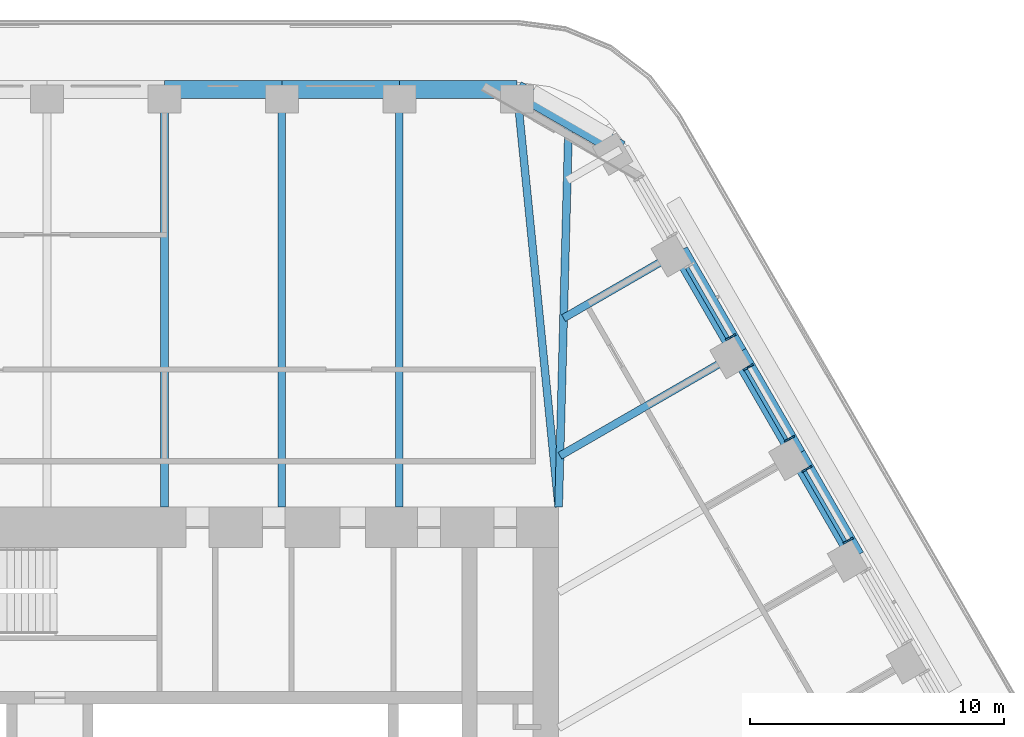
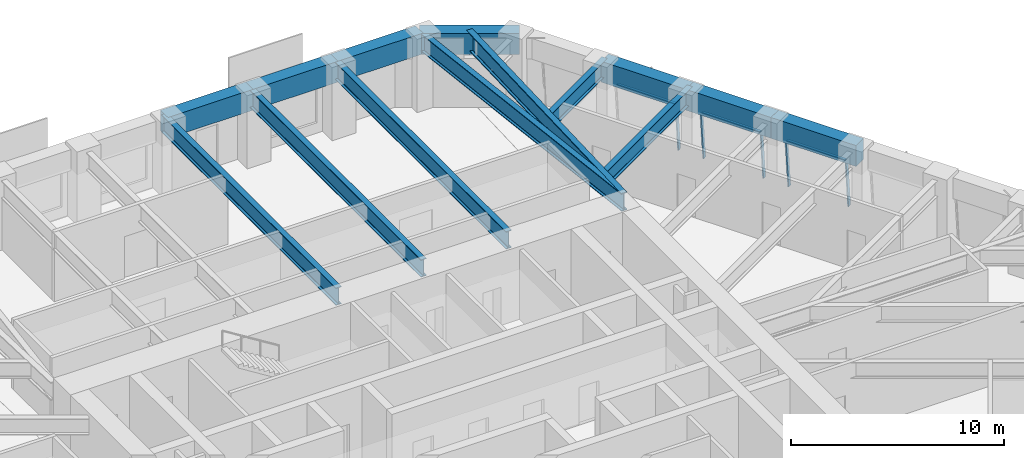
# One storey, part 11 of 20: 14 beams, 8 members, 3 elements without a shape of their own.
"""IFC4 building model written with IfcOpenShell, lengths in metres."""

from ifc_helpers import new_model, si_unit, direction, frame, origin, origin_2d, place, context, subcontext, project, spatial, rectangle, i_section, extrude, material, material_profile, profile_set, type_object, element, aggregate, save


model = new_model("IFC4")

# Units and contexts
model_context = context("Model", 3, precision=1e-05, world=origin(), true_north=direction((0.0, 1.0)))
body_context = subcontext(model_context, "Body", "Model", "MODEL_VIEW")
ifc_project = project(units=[si_unit("LENGTHUNIT", "METRE"), si_unit("AREAUNIT", "SQUARE_METRE"), si_unit("VOLUMEUNIT", "CUBIC_METRE"), si_unit("PLANEANGLEUNIT", "RADIAN"), si_unit("MASSUNIT", "GRAM", prefix="KILO")], contexts=[model_context])

# Site, building, storey
site_placement = place(None, origin())
site = spatial("IfcSite", under=ifc_project, at=site_placement, CompositionType="ELEMENT")
building_placement = place(site_placement, origin())
building = spatial("IfcBuilding", under=site, at=building_placement, Name="Tarfa Lantern Tower", CompositionType="ELEMENT")
storey_placement = place(building_placement, frame((0.0, 0.0, 236.5)))
storey = spatial("IfcBuildingStorey", under=building, at=storey_placement, Name="L53", CompositionType="ELEMENT", Elevation=236.5)

# Curtain wall, members
ifc_material_1 = material(Name="Aluminium framed curtain wall", Category="aluminium")
curtain_wall_type = type_object("IfcCurtainWallType", Name="CW3 CANTED GLAZING HIGH ZONE 2800", PredefinedType="USERDEFINED", material=ifc_material_1)
curtain_wall_1_placement = place(storey_placement, origin())
curtain_wall_1 = element("IfcCurtainWall", 1, at=curtain_wall_1_placement, inside=storey, type_object=curtain_wall_type, Name="CW3 NE L53", ObjectType="CURTAIN WALL", PredefinedType="USERDEFINED")
ifc_material_2 = material(Name="Aluminium mullion", Category="aluminium")
ifc_material_profile_1 = material_profile(ifc_material_2, rectangle(XDim=0.06494140625, YDim=0.199951171875, at=origin_2d()), Name="AL MULLION 65x200")
ifc_profile_set_1 = profile_set([ifc_material_profile_1], Name="Aluminium mullion")
member_type_1 = type_object("IfcMemberType", Name="CWM1 MULLION 65x200", PredefinedType="MULLION", material=ifc_profile_set_1)
member_1_placement = place(storey_placement, frame((26.996337890625, 11.041015625, 0.0), z_axis=(-0.077032386753, -0.044465143199, 0.996036576854), x_axis=(0.499919672301, -0.866071776036, 0.0)))
member_1 = element("IfcMember", 2, at=member_1_placement, type_object=member_type_1, Name="CW3 mullion 1", PredefinedType="MULLION", context=body_context, shape_type="SweptSolid", body=[
    extrude(rectangle(XDim=0.06494140625, YDim=0.199951171875, at=origin_2d()), origin(), (0.0, 0.0, 1.0), 2.811279296875),
])
member_2_placement = place(storey_placement, frame((25.369384765625, 13.85888671875, 0.0), z_axis=(-0.077032386753, -0.044465143199, 0.996036576854), x_axis=(0.499919672301, -0.866071776036, 0.0)))
member_2 = element("IfcMember", 3, at=member_2_placement, type_object=member_type_1, Name="CW3 mullion 2", PredefinedType="MULLION", context=body_context, shape_type="SweptSolid", body=[
    extrude(rectangle(XDim=0.06494140625, YDim=0.199951171875, at=origin_2d()), origin(), (0.0, 0.0, 1.0), 2.811279296875),
])

curtain_wall_2_placement = place(storey_placement, origin())
curtain_wall_2 = element("IfcCurtainWall", 4, at=curtain_wall_2_placement, inside=storey, type_object=curtain_wall_type, Name="CW3 NE L53", ObjectType="CURTAIN WALL", PredefinedType="USERDEFINED")
member_3_placement = place(storey_placement, frame((24.686767578125, 15.041015625, 0.0), z_axis=(-0.076946055247, -0.044465440504, 0.996043236603), x_axis=(0.500342721131, -0.865827443207, 0.0)))
member_3 = element("IfcMember", 5, at=member_3_placement, type_object=member_type_1, Name="CW3 mullion 1", PredefinedType="MULLION", context=body_context, shape_type="SweptSolid", body=[
    extrude(rectangle(XDim=0.06494140625, YDim=0.199951171875, at=origin_2d()), origin(), (0.0, 0.0, 1.0), 2.811279296875),
])
member_4_placement = place(storey_placement, frame((23.06005859375, 17.85888671875, 0.0), z_axis=(-0.077032386753, -0.044465143199, 0.996036576854), x_axis=(0.499919672301, -0.866071776036, 0.0)))
member_4 = element("IfcMember", 6, at=member_4_placement, type_object=member_type_1, Name="CW3 mullion 2", PredefinedType="MULLION", context=body_context, shape_type="SweptSolid", body=[
    extrude(rectangle(XDim=0.06494140625, YDim=0.199951171875, at=origin_2d()), origin(), (0.0, 0.0, 1.0), 2.811279296875),
])

# Curtain wall, member
curtain_wall_3_placement = place(storey_placement, origin())
curtain_wall_3 = element("IfcCurtainWall", 7, at=curtain_wall_3_placement, inside=storey, type_object=curtain_wall_type, Name="CW3 NE L53", ObjectType="CURTAIN WALL", PredefinedType="USERDEFINED")
member_5_placement = place(storey_placement, frame((22.37744140625, 19.041015625, 0.0), z_axis=(-0.077032386753, -0.044465143199, 0.996036576854), x_axis=(0.499919672301, -0.866071776036, 0.0)))
member_5 = element("IfcMember", 8, at=member_5_placement, type_object=member_type_1, Name="CW3 mullion 1", PredefinedType="MULLION", context=body_context, shape_type="SweptSolid", body=[
    extrude(rectangle(XDim=0.06494140625, YDim=0.199951171875, at=origin_2d()), origin(), (0.0, 0.0, 1.0), 2.811279296875),
])

# Member
ifc_material_3 = material(Name="Aluminium transom", Category="aluminium")
ifc_material_profile_2 = material_profile(ifc_material_3, rectangle(XDim=0.14990234375, YDim=0.06494140625, at=origin_2d()), Name="AL TRANSOM 150x65")
ifc_profile_set_2 = profile_set([ifc_material_profile_2], Name="Aluminium transom")
member_type_2 = type_object("IfcMemberType", Name="CWT1 TRANSOM 150x65", PredefinedType="USERDEFINED", material=ifc_profile_set_2)
member_6_placement = place(storey_placement, frame((26.76611328125, 10.945556640625, 2.767578125), z_axis=(-0.500000789788, 0.8660249478, 0.0), x_axis=(-0.8660249478, -0.500000789788, 0.0)))
member_6 = element("IfcMember", 9, at=member_6_placement, type_object=member_type_2, Name="CW3 transom 1.2", ObjectType="TRANSOM", PredefinedType="USERDEFINED", context=body_context, shape_type="SweptSolid", body=[
    extrude(rectangle(XDim=0.14990234375, YDim=0.06494140625, at=origin_2d()), origin(), (0.0, 0.0, 1.0), 3.18896484375),
])

aggregate(curtain_wall_1, [member_1, member_2, member_6])

member_7_placement = place(storey_placement, frame((24.45654296875, 14.945556640625, 2.767578125), z_axis=(-0.499943367995, 0.866058097819, 0.0), x_axis=(-0.866058097819, -0.499943367995, 0.0)))
member_7 = element("IfcMember", 10, at=member_7_placement, type_object=member_type_2, Name="CW3 transom 1.2", ObjectType="TRANSOM", PredefinedType="USERDEFINED", context=body_context, shape_type="SweptSolid", body=[
    extrude(rectangle(XDim=0.14990234375, YDim=0.06494140625, at=origin_2d()), origin(), (0.0, 0.0, 1.0), 3.188720703125),
])

aggregate(curtain_wall_2, [member_3, member_4, member_7])

member_8_placement = place(storey_placement, frame((22.147216796875, 18.945556640625, 2.767578125), z_axis=(-0.500000789788, 0.8660249478, 0.0), x_axis=(-0.8660249478, -0.500000789788, 0.0)))
member_8 = element("IfcMember", 11, at=member_8_placement, type_object=member_type_2, Name="CW3 transom 1.2", ObjectType="TRANSOM", PredefinedType="USERDEFINED", context=body_context, shape_type="SweptSolid", body=[
    extrude(rectangle(XDim=0.14990234375, YDim=0.06494140625, at=origin_2d()), origin(), (0.0, 0.0, 1.0), 3.18896484375),
])

aggregate(curtain_wall_3, [member_5, member_8])

# Beams
ifc_material_4 = material(Name="Concrete C80/95", Category="concrete")
ifc_material_profile_3 = material_profile(ifc_material_4, rectangle(XDim=0.699951171875, YDim=1.199951171875, at=origin_2d()), Name="RC 700x1200")
ifc_profile_set_3 = profile_set([ifc_material_profile_3], Name="Concrete C80/95")
beam_type_1 = type_object("IfcBeamType", Name="EB3 RC 700x1200", PredefinedType="SPANDREL", material=ifc_profile_set_3)
beam_1_placement = place(storey_placement, frame((27.181640625, 10.360107421875, 3.39990234375), z_axis=(-0.499987836815, 0.866032426089, 0.0), x_axis=(-0.866032426089, -0.499987836815, 0.0)))
element("IfcBeam", 12, at=beam_1_placement, inside=storey, type_object=beam_type_1, Name="Edge beam NE2", PredefinedType="SPANDREL", context=body_context, shape_type="SweptSolid", body=[
    extrude(rectangle(XDim=0.699951171875, YDim=1.199951171875, at=origin_2d()), origin(), (0.0, 0.0, 1.0), 4.61865234375),
])
beam_2_placement = place(storey_placement, frame((24.872314453125, 14.360107421875, 3.39990234375), z_axis=(-0.500027479704, 0.866009537788, 0.0), x_axis=(-0.866009537788, -0.500027479704, 0.0)))
element("IfcBeam", 13, at=beam_2_placement, inside=storey, type_object=beam_type_1, Name="Edge beam NE3", PredefinedType="SPANDREL", context=body_context, shape_type="SweptSolid", body=[
    extrude(rectangle(XDim=0.699951171875, YDim=1.199951171875, at=origin_2d()), origin(), (0.0, 0.0, 1.0), 4.618896484375),
])
beam_3_placement = place(storey_placement, frame((22.562744140625, 18.360107421875, 3.39990234375), z_axis=(-0.499987836815, 0.866032426089, 0.0), x_axis=(-0.866032426089, -0.499987836815, 0.0)))
element("IfcBeam", 14, at=beam_3_placement, inside=storey, type_object=beam_type_1, Name="Edge beam NE4", PredefinedType="SPANDREL", context=body_context, shape_type="SweptSolid", body=[
    extrude(rectangle(XDim=0.699951171875, YDim=1.199951171875, at=origin_2d()), origin(), (0.0, 0.0, 1.0), 4.61865234375),
])
beam_4_placement = place(storey_placement, frame((17.944091796875, 26.360107421875, 3.39990234375), z_axis=(-0.866038294681, 0.499977671647, 0.0), x_axis=(-0.499977671647, -0.866038294681, 0.0)))
element("IfcBeam", 15, at=beam_4_placement, inside=storey, type_object=beam_type_1, Name="Edge beam NE6", PredefinedType="SPANDREL", context=body_context, shape_type="SweptSolid", body=[
    extrude(rectangle(XDim=0.699951171875, YDim=1.199951171875, at=origin_2d()), origin(), (0.0, 0.0, 1.0), 4.719970703125),
])
beam_5_placement = place(storey_placement, frame((13.8564453125, 28.719970703125, 3.39990234375), z_axis=(-1.0, 0.0, 0.0), x_axis=(0.0, -1.0, 0.0)))
element("IfcBeam", 16, at=beam_5_placement, inside=storey, type_object=beam_type_1, Name="Edge beam N0", PredefinedType="SPANDREL", context=body_context, shape_type="SweptSolid", body=[
    extrude(rectangle(XDim=0.699951171875, YDim=1.199951171875, at=origin_2d()), origin(), (0.0, 0.0, 1.0), 4.618896484375),
])
beam_6_placement = place(storey_placement, frame((9.237548828125, 28.719970703125, 3.39990234375), z_axis=(-1.0, 0.0, 0.0), x_axis=(0.0, -1.0, 0.0)))
element("IfcBeam", 17, at=beam_6_placement, inside=storey, type_object=beam_type_1, Name="Edge beam N1", PredefinedType="SPANDREL", context=body_context, shape_type="SweptSolid", body=[
    extrude(rectangle(XDim=0.699951171875, YDim=1.199951171875, at=origin_2d()), origin(), (0.0, 0.0, 1.0), 4.61865234375),
])
beam_7_placement = place(storey_placement, frame((4.618896484375, 28.719970703125, 3.39990234375), z_axis=(-1.0, 0.0, 0.0), x_axis=(0.0, -1.0, 0.0)))
element("IfcBeam", 18, at=beam_7_placement, inside=storey, type_object=beam_type_1, Name="Edge beam N2", PredefinedType="SPANDREL", context=body_context, shape_type="SweptSolid", body=[
    extrude(rectangle(XDim=0.699951171875, YDim=1.199951171875, at=origin_2d()), origin(), (0.0, 0.0, 1.0), 4.618896484375),
])
ifc_material_5 = material(Name="Steel S460M", Category="steel")
ifc_material_profile_4 = material_profile(ifc_material_5, i_section(OverallWidth=0.302001953125, OverallDepth=1.008056640625, WebThickness=0.02099609375, FlangeThickness=0.0400390625, FilletRadius=0.030029296875, at=origin_2d()), Name="UB1016x305x349")
ifc_profile_set_4 = profile_set([ifc_material_profile_4], Name="Steel S460M")
beam_type_2 = type_object("IfcBeamType", Name="UB1016x305x349", PredefinedType="BEAM", material=ifc_profile_set_4)
beam_8_placement = place(storey_placement, frame((13.8564453125, 28.719970703125, 3.495849609375), z_axis=(0.099597466746, -0.995027810977, 0.0), x_axis=(0.995027810977, 0.099597466746, 0.0)))
element("IfcBeam", 19, at=beam_8_placement, inside=storey, type_object=beam_type_2, Name="Floor beam N0", PredefinedType="BEAM", context=body_context, shape_type="SweptSolid", body=[
    extrude(i_section(OverallWidth=0.302001953125, OverallDepth=1.008056640625, WebThickness=0.02099609375, FlangeThickness=0.0400390625, FilletRadius=0.030029296875, at=origin_2d()), origin(), (0.0, 0.0, 1.0), 16.501953125),
])
for number, where, z_axis, x_axis, name in (
    (20, (9.237548828125, 28.719970703125, 3.495849609375), (0.0, -1.0, 0.0), (1.0, 0.0, 0.0), "Floor beam N1"),
    (21, (4.618896484375, 28.719970703125, 3.495849609375), (0.0, -1.0, 0.0), (1.0, 0.0, 0.0), "Floor beam N2"),
    (22, (0.0, 28.719970703125, 3.495849609375), (0.0, -1.0, 0.0), (1.0, 0.0, 0.0), "Floor beam N3"),
):
    element("IfcBeam", number, at=place(storey_placement, frame(where, z_axis=z_axis, x_axis=x_axis)), inside=storey, type_object=beam_type_2, Name=name, PredefinedType="BEAM", context=body_context, shape_type="SweptSolid", body=[
        extrude(i_section(OverallWidth=0.302001953125, OverallDepth=1.008056640625, WebThickness=0.02099609375, FlangeThickness=0.0400390625, FilletRadius=0.030029296875, at=origin_2d()), origin(), (0.0, 0.0, 1.0), 16.419921875),
    ])
ifc_material_profile_5 = material_profile(ifc_material_5, i_section(OverallWidth=0.30859375, OverallDepth=1.036376953125, WebThickness=0.030029296875, FlangeThickness=0.05419921875, FilletRadius=0.030029296875, at=origin_2d()), Name="UB1016x305x487")
ifc_profile_set_5 = profile_set([ifc_material_profile_5], Name="Steel S460M")
beam_type_3 = type_object("IfcBeamType", Name="UB1016x305x487", PredefinedType="BEAM", material=ifc_profile_set_5)
beam_9_placement = place(storey_placement, frame((15.5, 12.300048828125, 3.48193359375), z_axis=(0.026247301989, 0.999655480222, 0.0), x_axis=(-0.999655480222, 0.026247301989, 0.0)))
element("IfcBeam", 23, at=beam_9_placement, inside=storey, type_object=beam_type_3, Name="Hip girder NE", PredefinedType="BEAM", context=body_context, shape_type="SweptSolid", body=[
    extrude(i_section(OverallWidth=0.30859375, OverallDepth=1.036376953125, WebThickness=0.030029296875, FlangeThickness=0.05419921875, FilletRadius=0.030029296875, at=origin_2d()), origin(), (0.0, 0.0, 1.0), 15.245361328125),
])
ifc_material_profile_6 = material_profile(ifc_material_5, i_section(OverallWidth=0.305419921875, OverallDepth=0.91845703125, WebThickness=0.017333984375, FlangeThickness=0.02783203125, FilletRadius=0.01904296875, at=origin_2d()), Name="UB914x305x253")
ifc_profile_set_6 = profile_set([ifc_material_profile_6], Name="Steel S460M")
beam_type_4 = type_object("IfcBeamType", Name="UB914x305x253", PredefinedType="BEAM", material=ifc_profile_set_6)
beam_10_placement = place(storey_placement, frame((22.562744140625, 18.360107421875, 3.540771484375), z_axis=(-0.866010787764, -0.500025314835, 0.0), x_axis=(0.500025314835, -0.866010787764, 0.0)))
element("IfcBeam", 24, at=beam_10_placement, inside=storey, type_object=beam_type_4, Name="Floor beam NE4", PredefinedType="BEAM", context=body_context, shape_type="SweptSolid", body=[
    extrude(i_section(OverallWidth=0.305419921875, OverallDepth=0.91845703125, WebThickness=0.017333984375, FlangeThickness=0.02783203125, FilletRadius=0.01904296875, at=origin_2d()), origin(), (0.0, 0.0, 1.0), 8.09423828125),
])
beam_11_placement = place(storey_placement, frame((20.25341796875, 22.360107421875, 3.540771484375), z_axis=(-0.86601951648, -0.500010196972, 0.0), x_axis=(0.500010196972, -0.86601951648, 0.0)))
element("IfcBeam", 25, at=beam_11_placement, inside=storey, type_object=beam_type_4, Name="Floor beam NE5", PredefinedType="BEAM", context=body_context, shape_type="SweptSolid", body=[
    extrude(i_section(OverallWidth=0.305419921875, OverallDepth=0.91845703125, WebThickness=0.017333984375, FlangeThickness=0.02783203125, FilletRadius=0.01904296875, at=origin_2d()), origin(), (0.0, 0.0, 1.0), 5.263671875),
])

save(model, "model.ifc")
